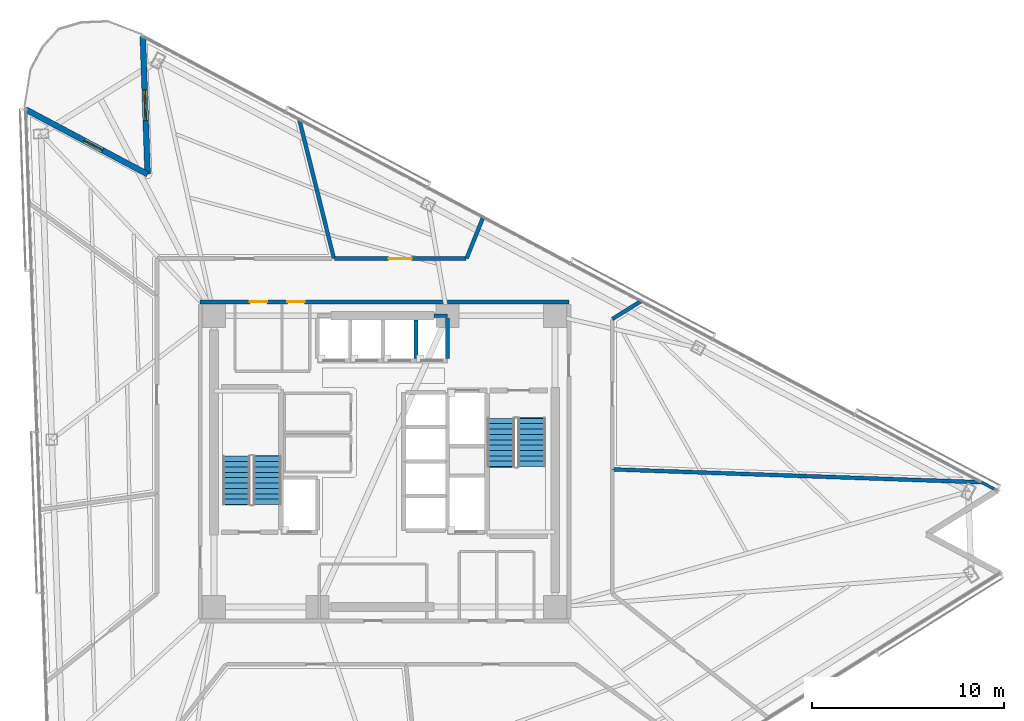
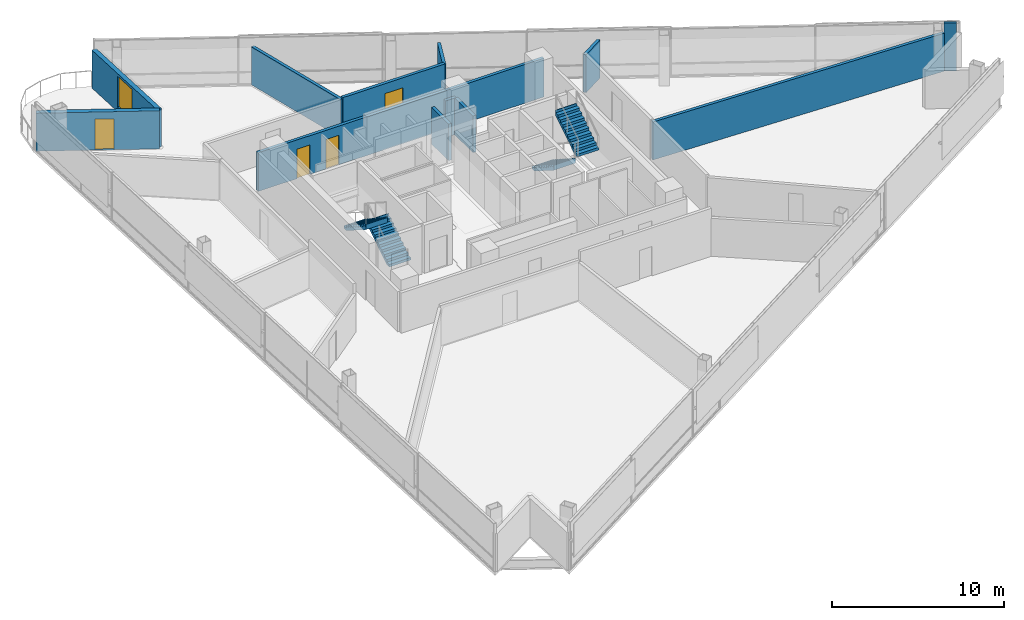
# One storey, part 14 of 20: 12 walls, 4 doors, 4 stair flights, 1 window, 5 openings, 2 elements without a shape of their own.
"""IFC4 building model written with IfcOpenShell, lengths in metres."""

import ifcopenshell
import ifcopenshell.guid

model = None  # the IFC model being written
_history = None  # IfcOwnerHistory: only IFC2X3 demands one
_inside = {}  # id of a spatial element -> (the spatial element, [elements in it])
_under = {}  # id of a project, library or spatial element -> (it, [spatial elements below it])
_declared = {}  # id of a project -> (the project, [libraries it declares])
_typed = {}  # id of a type object -> (the type object, [elements of that type])
_made_of = {}  # id of a material, layer set ... -> (it, [elements and type objects made of it])


def new_model(schema):
    """Start an empty IFC model of exactly this schema.

    Asked for "IFC4X3", IfcOpenShell would pick the latest addendum, in which some entities
    have other attributes; the version numbers below select the first issue.
    IFC2X3 requires an IfcOwnerHistory on every rooted entity: one is made here for all.
    """
    global model, _history
    if schema == "IFC4X3":
        model = ifcopenshell.file(schema_version=(4, 3, 0, 0))
    else:
        model = ifcopenshell.file(schema=schema)
    _inside.clear()
    _under.clear()
    _declared.clear()
    _typed.clear()
    _made_of.clear()
    _history = None
    if model.schema == "IFC2X3":
        org = make("IfcOrganization", Name="unknown")
        user = make(
            "IfcPersonAndOrganization",
            ThePerson=make("IfcPerson", FamilyName="unknown"),
            TheOrganization=org,
        )
        app = make(
            "IfcApplication",
            ApplicationDeveloper=org,
            Version="unknown",
            ApplicationFullName="unknown",
            ApplicationIdentifier="unknown",
        )
        _history = make(
            "IfcOwnerHistory",
            OwningUser=user,
            OwningApplication=app,
            ChangeAction="ADDED",
            CreationDate=0,
        )
    return model


def make(cls, **values):
    """One entity of the class cls with the attributes given. An attribute that is None is left unset."""
    return model.create_entity(
        cls, **{name: value for name, value in values.items() if value is not None}
    )


def rooted(cls, **values):
    """An entity with a GlobalId (a new one), such as an element, a storey or a relation."""
    return make(cls, GlobalId=ifcopenshell.guid.new(), OwnerHistory=_history, **values)


def si_unit(unit_type, name, prefix=None):
    """IfcSIUnit, for example si_unit("LENGTHUNIT", "METRE", prefix="MILLI")."""
    return make("IfcSIUnit", UnitType=unit_type, Prefix=prefix, Name=name)


def assignment(units):
    """IfcUnitAssignment: the units of a project."""
    return None if units is None else make("IfcUnitAssignment", Units=units)


def point(xyz):
    """IfcCartesianPoint."""
    return None if xyz is None else make("IfcCartesianPoint", Coordinates=xyz)


def direction(xyz):
    """IfcDirection."""
    return None if xyz is None else make("IfcDirection", DirectionRatios=xyz)


def frame(location, z_axis=None, x_axis=None):
    """IfcAxis2Placement3D, a coordinate frame: its origin and axes. An axis left out is left unset."""
    return make(
        "IfcAxis2Placement3D",
        Location=point(location),
        Axis=direction(z_axis),
        RefDirection=direction(x_axis),
    )


def frame_2d(location, x_axis=None):
    """IfcAxis2Placement2D, a coordinate frame in the plane: its origin and x axis."""
    return make(
        "IfcAxis2Placement2D", Location=point(location), RefDirection=direction(x_axis)
    )


def origin():
    """The frame at (0, 0, 0) with its axes left unset."""
    return frame((0.0, 0.0, 0.0))


def place(relative_to, where):
    """IfcLocalPlacement: puts the frame where relative to a parent placement (None: the world)."""
    return make(
        "IfcLocalPlacement", PlacementRelTo=relative_to, RelativePlacement=where
    )


def context(
    kind, dimensions, precision=None, world=None, true_north=None, identifier=None
):
    """IfcGeometricRepresentationContext, for example the 3D "Model" context."""
    return make(
        "IfcGeometricRepresentationContext",
        ContextIdentifier=identifier,
        ContextType=kind,
        CoordinateSpaceDimension=dimensions,
        Precision=precision,
        WorldCoordinateSystem=world,
        TrueNorth=true_north,
    )


def subcontext(parent, identifier, kind, view, scale=None):
    """IfcGeometricRepresentationSubContext, for example "Body" below "Model"."""
    return make(
        "IfcGeometricRepresentationSubContext",
        ContextIdentifier=identifier,
        ContextType=kind,
        ParentContext=parent,
        TargetScale=scale,
        TargetView=view,
    )


def project(units=None, contexts=None):
    """IfcProject with its units and contexts."""
    return rooted(
        "IfcProject",
        Name="project",
        RepresentationContexts=contexts,
        UnitsInContext=assignment(units),
    )


def spatial(cls, under=None, at=None, **own):
    """A site, building, storey or space (cls), placed at a placement, below another one or the project."""
    s = rooted(cls, ObjectPlacement=at, **own)
    if under is not None:
        _under.setdefault(under.id(), (under, []))[1].append(s)
    return s


def polyline(points):
    """IfcPolyline through the points."""
    return make("IfcPolyline", Points=[point(p) for p in points])


def profile(cls, at=None, kind="AREA", **sizes):
    """A parametric profile (cls). Its sizes go by their IFC names, for example OverallWidth=200.0."""
    return make(cls, ProfileType=kind, Position=at, **sizes)


def rectangle(**sizes):
    """IfcRectangleProfileDef."""
    return profile("IfcRectangleProfileDef", **sizes)


def outline(outer, holes=None, kind="AREA"):
    """IfcArbitraryClosedProfileDef: a profile drawn as a closed curve; with holes, ...WithVoids."""
    if holes is None:
        return make("IfcArbitraryClosedProfileDef", ProfileType=kind, OuterCurve=outer)
    return make(
        "IfcArbitraryProfileDefWithVoids",
        ProfileType=kind,
        OuterCurve=outer,
        InnerCurves=holes,
    )


def extrude(swept, where, along, depth):
    """IfcExtrudedAreaSolid: the profile swept, set in the frame where, extruded along a direction by depth."""
    return make(
        "IfcExtrudedAreaSolid",
        SweptArea=swept,
        Position=where,
        ExtrudedDirection=direction(along),
        Depth=depth,
    )


def shape(context_of_items, identifier, shape_type, items):
    """IfcShapeRepresentation: the items that make up one representation, for example the "Body"."""
    return make(
        "IfcShapeRepresentation",
        ContextOfItems=context_of_items,
        RepresentationIdentifier=identifier,
        RepresentationType=shape_type,
        Items=items,
    )


def material(Name=None, Category=None):
    """IfcMaterial."""
    return make("IfcMaterial", Name=Name, Category=Category)


def layer(
    of_material, thickness, ventilated=None, Name=None, Category=None, Priority=None
):
    """IfcMaterialLayer: one layer of a wall or slab, of a material (None: an air gap)."""
    return make(
        "IfcMaterialLayer",
        Material=of_material,
        LayerThickness=thickness,
        IsVentilated=ventilated,
        Name=Name,
        Category=Category,
        Priority=Priority,
    )


def layer_set(layers, Name=None):
    """IfcMaterialLayerSet."""
    return make("IfcMaterialLayerSet", MaterialLayers=layers, LayerSetName=Name)


def made_of(thing, what):
    """Note that an element or type object is made of a material, layer set ...; save() writes the relation."""
    if what is not None:
        _made_of.setdefault(what.id(), (what, []))[1].append(thing)
    return thing


def type_object(cls, material=None, **own):
    """A type object (cls), such as IfcWallType, which elements share."""
    return made_of(rooted(cls, **own), material)


def element(
    cls,
    number,
    at=None,
    inside=None,
    cuts=None,
    type_object=None,
    material=None,
    context=None,
    identifier="Body",
    shape_type=None,
    held_by="IfcProductDefinitionShape",
    body=None,
    shapes=None,
    **own,
):
    """One element of the class cls, such as IfcWall. Its Tag is "e" and its number.

    at: its placement. inside: the storey or other place that contains it. cuts: it is an
    opening in that element (IfcRelVoidsElement). A single representation is given by context,
    identifier, shape_type and body (its items); several are given by shapes. held_by: the class
    of the entity that holds the representations. save() writes the other relations.
    """
    e = rooted(cls, Tag="e%d" % number, ObjectPlacement=at, **own)
    if body is not None:
        shapes = [shape(context, identifier, shape_type, body)]
    if shapes is not None:
        e.Representation = make(held_by, Representations=shapes)
    if inside is not None:
        _inside.setdefault(inside.id(), (inside, []))[1].append(e)
    if cuts is not None:
        rooted(
            "IfcRelVoidsElement", RelatingBuildingElement=cuts, RelatedOpeningElement=e
        )
    if type_object is not None:
        _typed.setdefault(type_object.id(), (type_object, []))[1].append(e)
    return made_of(e, material)


def fill(opening, filler):
    """IfcRelFillsElement: the door or window that sits in an opening."""
    return rooted(
        "IfcRelFillsElement",
        RelatingOpeningElement=opening,
        RelatedBuildingElement=filler,
    )


def aggregate(whole, parts):
    """IfcRelAggregates: a whole, such as a stair, and the parts it consists of."""
    return rooted("IfcRelAggregates", RelatingObject=whole, RelatedObjects=parts)


def save(model, path):
    """Write the relations noted so far, then the file.

    IfcRelAggregates (storeys below a building ...), IfcRelContainedInSpatialStructure (elements
    in a storey), IfcRelDefinesByType, IfcRelAssociatesMaterial and IfcRelDeclares: one each for
    every whole, place, type object, material and project.
    """
    for whole, parts in _under.values():
        aggregate(whole, parts)
    for where, things in _inside.values():
        rooted(
            "IfcRelContainedInSpatialStructure",
            RelatedElements=things,
            RelatingStructure=where,
        )
    for kind, things in _typed.values():
        rooted("IfcRelDefinesByType", RelatedObjects=things, RelatingType=kind)
    for what, things in _made_of.values():
        rooted("IfcRelAssociatesMaterial", RelatedObjects=things, RelatingMaterial=what)
    for by, libraries in _declared.values():
        rooted("IfcRelDeclares", RelatingContext=by, RelatedDefinitions=libraries)
    model.write(path)


model = new_model("IFC4")

# Units and contexts
model_context = context("Model", 3, precision=1e-05, world=origin(), true_north=direction((0.0, 1.0)))
body_context = subcontext(model_context, "Body", "Model", "MODEL_VIEW")
ifc_project = project(units=[si_unit("LENGTHUNIT", "METRE"), si_unit("AREAUNIT", "SQUARE_METRE"), si_unit("VOLUMEUNIT", "CUBIC_METRE"), si_unit("PLANEANGLEUNIT", "RADIAN"), si_unit("MASSUNIT", "GRAM", prefix="KILO")], contexts=[model_context])

# Site, building, storey
site_placement = place(None, origin())
site = spatial("IfcSite", under=ifc_project, at=site_placement, CompositionType="ELEMENT")
building_placement = place(site_placement, origin())
building = spatial("IfcBuilding", under=site, at=building_placement, Name="Tharavind Bronze Gate", CompositionType="ELEMENT")
storey_placement = place(building_placement, frame((0.0, 0.0, 146.0)))
storey = spatial("IfcBuildingStorey", under=building, at=storey_placement, Name="L37", CompositionType="ELEMENT", Elevation=146.0)

# Wall, opening, window
ifc_material_1 = material(Name="Concrete C40/50", Category="concrete")
ifc_layer_1 = layer(ifc_material_1, 0.300048828125)
ifc_layer_set_1 = layer_set([ifc_layer_1], Name="Concrete C40/50")
wall_type_1 = type_object("IfcWallType", Name="EXTERIOR SPANDREL WALL 300", PredefinedType="STANDARD", material=ifc_layer_set_1)
wall_1_placement = place(storey_placement, frame((-12.614013671875, 22.179931640625, 0.0), z_axis=(0.0, 0.0, 1.0), x_axis=(0.034925918675, -0.999389903994, 0.0)))
wall_1 = element("IfcWall", 1, at=wall_1_placement, inside=storey, type_object=wall_type_1, Name="L37 notch cheek wall 1A", PredefinedType="STANDARD", context=body_context, shape_type="SweptSolid", body=[
    extrude(rectangle(XDim=7.199951171875, YDim=0.300048828125, at=frame_2d((3.60009765625, 0.0))), origin(), (0.0, 0.0, 1.0), 2.705078125),
])
opening_1_placement = place(wall_1_placement, frame((2.800048828125, 0.0, 0.324951171875)))
opening_1 = element("IfcOpeningElement", 2, at=opening_1_placement, cuts=wall_1, Name="Opening W05", PredefinedType="OPENING", context=body_context, shape_type="SweptSolid", body=[
    extrude(rectangle(XDim=1.60009765625, YDim=2.199951171875, at=frame_2d((0.800048828125, 1.10009765625))), frame((0.0, 0.15990234375, 0.0), z_axis=(0.0, -1.0, 0.0), x_axis=(1.0, 0.0, 0.0)), (0.0, 0.0, 1.0), 0.320048828125),
])
ifc_material_2 = material(Name="Bronze Aluminium & Low-E Glass", Category="aluminium")
window_type = type_object("IfcWindowType", Name="OFFICE NOTCH BRONZE WINDOW 1600X2200", PartitioningType="DOUBLE_PANEL_VERTICAL", PredefinedType="WINDOW", material=ifc_material_2)
window_placement = place(opening_1_placement, origin())
window = element("IfcWindow", 3, at=window_placement, inside=storey, type_object=window_type, Name="L37 exterior window WL-L37-NCB1-01", OverallHeight=2.199951171875, OverallWidth=1.60009765625, PartitioningType="SINGLE_PANEL", PredefinedType="WINDOW", context=body_context, shape_type="SweptSolid", body=[
    extrude(rectangle(XDim=1.60009765625, YDim=2.199951171875, at=frame_2d((0.800048828125, 1.10009765625))), frame((0.0, 0.030029296875, 0.0), z_axis=(0.0, -1.0, 0.0), x_axis=(1.0, 0.0, 0.0)), (0.0, 0.0, 1.0), 0.06005859375),
])
fill(opening_1, window)

# Wall, opening, door
wall_2_placement = place(storey_placement, frame((-12.362548828125, 14.984375, 0.0), z_axis=(0.0, 0.0, 1.0), x_axis=(-0.882950149473, 0.469466754463, 0.0)))
wall_2 = element("IfcWall", 4, at=wall_2_placement, inside=storey, type_object=wall_type_1, Name="L37 notch cheek wall 1B", PredefinedType="STANDARD", context=body_context, shape_type="SweptSolid", body=[
    extrude(rectangle(XDim=7.199951171875, YDim=0.300048828125, at=frame_2d((3.60009765625, 0.0))), origin(), (0.0, 0.0, 1.0), 2.705078125),
])
opening_2_placement = place(wall_2_placement, frame((2.654052734375, 0.0, 0.0)))
opening_2 = element("IfcOpeningElement", 5, at=opening_2_placement, cuts=wall_2, Name="Opening ED04", PredefinedType="OPENING", context=body_context, shape_type="SweptSolid", body=[
    extrude(rectangle(XDim=1.10009765625, YDim=2.199951171875, at=frame_2d((0.550048828125, 1.10009765625))), frame((0.0, 0.15990234375, 0.0), z_axis=(0.0, -1.0, 0.0), x_axis=(1.0, 0.0, 0.0)), (0.0, 0.0, 1.0), 0.320048828125),
])
ifc_material_3 = material(Name="Bronze Aluminium & Toughened Glass", Category="aluminium")
door_type_1 = type_object("IfcDoorType", Name="TREE BALCONY ACCESS DOOR 1100X2200", OperationType="SINGLE_SWING_LEFT", PredefinedType="DOOR", material=ifc_material_3)
door_1_placement = place(opening_2_placement, frame((1.10009765625, 0.0, 0.0), z_axis=(0.0, 0.0, 1.0), x_axis=(-1.0, 0.0, 0.0)))
door_1 = element("IfcDoor", 6, at=door_1_placement, inside=storey, type_object=door_type_1, Name="L37 tree balcony access door", OperationType="SINGLE_SWING_LEFT", OverallHeight=2.199951171875, OverallWidth=1.10009765625, PredefinedType="DOOR", context=body_context, shape_type="SweptSolid", body=[
    extrude(rectangle(XDim=1.10009765625, YDim=2.199951171875, at=frame_2d((0.550048828125, 1.10009765625))), frame((0.0, 0.02490234375, 0.0), z_axis=(0.0, -1.0, 0.0), x_axis=(1.0, 0.0, 0.0)), (0.0, 0.0, 1.0), 0.050048828125),
])
fill(opening_2, door_1)

# Wall, openings, doors
ifc_material_4 = material(Name="Aerated Concrete Block", Category="concrete")
ifc_layer_2 = layer(ifc_material_4, 0.199951171875)
ifc_layer_set_2 = layer_set([ifc_layer_2], Name="Aerated Concrete Block")
wall_type_2 = type_object("IfcWallType", Name="FIRE RATED PARTITION 200", PredefinedType="PARTITIONING", material=ifc_layer_set_2)
wall_3_placement = place(storey_placement, frame((9.6201171875, 8.320068359375, 0.0), z_axis=(0.0, 0.0, 1.0), x_axis=(-1.0, 0.0, 0.0)))
wall_3 = element("IfcWall", 7, at=wall_3_placement, inside=storey, type_object=wall_type_2, Name="L37 north core corridor wall", PredefinedType="PARTITIONING", context=body_context, shape_type="SweptSolid", body=[
    extrude(rectangle(XDim=19.240234375, YDim=0.199951171875, at=frame_2d((9.6201171875, 0.0))), origin(), (0.0, 0.0, 1.0), 2.7548828125),
])
opening_3_placement = place(wall_3_placement, frame((15.7451171875, 0.0, 0.0)))
opening_3 = element("IfcOpeningElement", 8, at=opening_3_placement, cuts=wall_3, Name="Opening ID07", PredefinedType="OPENING", context=body_context, shape_type="SweptSolid", body=[
    extrude(rectangle(XDim=0.89990234375, YDim=2.10009765625, at=frame_2d((0.449951171875, 1.050048828125))), frame((0.0, 0.11009765625, 0.0), z_axis=(0.0, -1.0, 0.0), x_axis=(1.0, 0.0, 0.0)), (0.0, 0.0, 1.0), 0.219951171875),
])
opening_4_placement = place(wall_3_placement, frame((13.794921875, 0.0, 0.0)))
opening_4 = element("IfcOpeningElement", 9, at=opening_4_placement, cuts=wall_3, Name="Opening ID07", PredefinedType="OPENING", context=body_context, shape_type="SweptSolid", body=[
    extrude(rectangle(XDim=0.89990234375, YDim=2.10009765625, at=frame_2d((0.449951171875, 1.050048828125))), frame((0.0, 0.11009765625, 0.0), z_axis=(0.0, -1.0, 0.0), x_axis=(1.0, 0.0, 0.0)), (0.0, 0.0, 1.0), 0.219951171875),
])
ifc_material_5 = material(Name="Galvanised Fire Steel", Category="steel")
door_type_2 = type_object("IfcDoorType", Name="PLANT AND RISER FIRE DOOR 900X2100", OperationType="SINGLE_SWING_LEFT", PredefinedType="DOOR", material=ifc_material_5)
door_2_placement = place(opening_3_placement, origin())
door_2 = element("IfcDoor", 10, at=door_2_placement, inside=storey, type_object=door_type_2, Name="L37 Electrical Metering Room fire door", OperationType="SINGLE_SWING_LEFT", OverallHeight=2.10009765625, OverallWidth=0.89990234375, PredefinedType="DOOR", context=body_context, shape_type="SweptSolid", body=[
    extrude(rectangle(XDim=0.89990234375, YDim=2.10009765625, at=frame_2d((0.449951171875, 1.050048828125))), frame((0.0, 0.02490234375, 0.0), z_axis=(0.0, -1.0, 0.0), x_axis=(1.0, 0.0, 0.0)), (0.0, 0.0, 1.0), 0.050048828125),
])
fill(opening_3, door_2)
door_3_placement = place(opening_4_placement, origin())
door_3 = element("IfcDoor", 11, at=door_3_placement, inside=storey, type_object=door_type_2, Name="L37 Linen Cupboard fire door", OperationType="SINGLE_SWING_LEFT", OverallHeight=2.10009765625, OverallWidth=0.89990234375, PredefinedType="DOOR", context=body_context, shape_type="SweptSolid", body=[
    extrude(rectangle(XDim=0.89990234375, YDim=2.10009765625, at=frame_2d((0.449951171875, 1.050048828125))), frame((0.0, 0.02490234375, 0.0), z_axis=(0.0, -1.0, 0.0), x_axis=(1.0, 0.0, 0.0)), (0.0, 0.0, 1.0), 0.050048828125),
])
fill(opening_4, door_3)

# Walls
wall_4_placement = place(storey_placement, frame((11.906005859375, -0.415771484375, 0.0), z_axis=(0.0, 0.0, 1.0), x_axis=(0.999390899128, -0.034897431724, 0.0)))
element("IfcWall", 12, at=wall_4_placement, inside=storey, type_object=wall_type_2, Name="L37 Public Restrooms Block partition", PredefinedType="PARTITIONING", context=body_context, shape_type="SweptSolid", body=[
    extrude(rectangle(XDim=19.245849609375, YDim=0.199951171875, at=frame_2d((9.623046875, 0.0))), origin(), (0.0, 0.0, 1.0), 2.705078125),
])
wall_5_placement = place(storey_placement, frame((5.1376953125, 12.7158203125, 0.0), z_axis=(0.0, 0.0, 1.0), x_axis=(-0.374646634577, -0.927167675882, 0.0)))
element("IfcWall", 13, at=wall_5_placement, inside=storey, type_object=wall_type_2, Name="L37 Sky Garden View Lounge partition", PredefinedType="PARTITIONING", context=body_context, shape_type="SweptSolid", body=[
    extrude(rectangle(XDim=2.28662109375, YDim=0.199951171875, at=frame_2d((1.143310546875, 0.0))), origin(), (0.0, 0.0, 1.0), 2.705078125),
])

# Wall, opening, door
wall_6_placement = place(storey_placement, frame((4.2578125, 10.580078125, 0.0), z_axis=(0.0, 0.0, 1.0), x_axis=(-1.0, 0.0, 0.0)))
wall_6 = element("IfcWall", 14, at=wall_6_placement, inside=storey, type_object=wall_type_2, Name="L37 Sky Garden View Lounge partition", PredefinedType="PARTITIONING", context=body_context, shape_type="SweptSolid", body=[
    extrude(rectangle(XDim=6.876220703125, YDim=0.199951171875, at=frame_2d((3.43798828125, 0.0))), origin(), (0.0, 0.0, 1.0), 2.85498046875),
])
opening_5_placement = place(wall_6_placement, frame((2.837890625, 0.0, 0.0)))
opening_5 = element("IfcOpeningElement", 15, at=opening_5_placement, cuts=wall_6, Name="Opening ID05", PredefinedType="OPENING", context=body_context, shape_type="SweptSolid", body=[
    extrude(rectangle(XDim=1.199951171875, YDim=2.14990234375, at=frame_2d((0.60009765625, 1.074951171875))), frame((0.0, 0.11009765625, 0.0), z_axis=(0.0, -1.0, 0.0), x_axis=(1.0, 0.0, 0.0)), (0.0, 0.0, 1.0), 0.219951171875),
])
ifc_material_6 = material(Name="Acoustic Laminated Glass", Category="glass")
door_type_3 = type_object("IfcDoorType", Name="MEETING ROOM GLAZED DOOR 1200X2150", OperationType="SINGLE_SWING_LEFT", PredefinedType="DOOR", material=ifc_material_6)
door_4_placement = place(opening_5_placement, origin())
door_4 = element("IfcDoor", 16, at=door_4_placement, inside=storey, type_object=door_type_3, Name="L37 Sky Garden View Lounge door", OperationType="SINGLE_SWING_LEFT", OverallHeight=2.14990234375, OverallWidth=1.199951171875, PredefinedType="DOOR", context=body_context, shape_type="SweptSolid", body=[
    extrude(rectangle(XDim=1.199951171875, YDim=2.14990234375, at=frame_2d((0.60009765625, 1.074951171875))), frame((0.0, 0.02490234375, 0.0), z_axis=(0.0, -1.0, 0.0), x_axis=(1.0, 0.0, 0.0)), (0.0, 0.0, 1.0), 0.050048828125),
])
fill(opening_5, door_4)

# Walls
wall_7_placement = place(storey_placement, frame((-2.642578125, 10.59912109375, 0.0), z_axis=(0.0, 0.0, 1.0), x_axis=(-0.241942663227, 0.970290548089, 0.0)))
element("IfcWall", 17, at=wall_7_placement, inside=storey, type_object=wall_type_2, Name="L37 Sky Garden View Lounge partition", PredefinedType="PARTITIONING", context=body_context, shape_type="SweptSolid", body=[
    extrude(rectangle(XDim=7.460205078125, YDim=0.199951171875, at=frame_2d((3.72998046875, 0.0))), origin(), (0.0, 0.0, 1.0), 2.705078125),
])
wall_8_placement = place(storey_placement, frame((11.891845703125, 7.430908203125, 0.0), z_axis=(0.0, 0.0, 1.0), x_axis=(0.848045643795, 0.529923188811, 0.0)))
element("IfcWall", 18, at=wall_8_placement, inside=storey, type_object=wall_type_2, Name="L37 Strategy Room partition", PredefinedType="PARTITIONING", context=body_context, shape_type="SweptSolid", body=[
    extrude(rectangle(XDim=1.73828125, YDim=0.199951171875, at=frame_2d((0.869140625, 0.0))), origin(), (0.0, 0.0, 1.0), 2.705078125),
])
ifc_material_7 = material(Name="Twin Stud Acoustic Gypsum", Category="gypsum")
ifc_layer_3 = layer(ifc_material_7, 0.14990234375)
ifc_layer_set_3 = layer_set([ifc_layer_3], Name="Twin Stud Acoustic Gypsum")
wall_type_3 = type_object("IfcWallType", Name="INTERIOR PARTITION WALL 150", PredefinedType="PARTITIONING", material=ifc_layer_set_3)
wall_9_placement = place(storey_placement, frame((31.15087890625, -1.09033203125, 0.0), z_axis=(0.0, 0.0, 1.0), x_axis=(0.883026217121, -0.469323662175, 0.0)))
element("IfcWall", 19, at=wall_9_placement, inside=storey, type_object=wall_type_3, Name="L37 Public Restrooms Block partition", PredefinedType="PARTITIONING", context=body_context, shape_type="SweptSolid", body=[
    extrude(rectangle(XDim=0.74169921875, YDim=0.14990234375, at=frame_2d((0.370849609375, 0.0))), origin(), (0.0, 0.0, 1.0), 3.409912109375),
])
ifc_layer_4 = layer(ifc_material_1, 0.199951171875)
ifc_layer_set_4 = layer_set([ifc_layer_4], Name="Concrete C40/50")
wall_type_4 = type_object("IfcWallType", Name="SHAFT ENCLOSURE WALL 200", PredefinedType="PARTITIONING", material=ifc_layer_set_4)
wall_10_placement = place(storey_placement, frame((1.637451171875, 5.3798828125, 0.0), z_axis=(0.0, 0.0, 1.0), x_axis=(0.0, 1.0, 0.0)))
element("IfcWall", 20, at=wall_10_placement, inside=storey, type_object=wall_type_4, Name="L37 lift PL7 shaft E enclosure wall", PredefinedType="PARTITIONING", context=body_context, shape_type="SweptSolid", body=[
    extrude(rectangle(XDim=1.990234375, YDim=0.199951171875, at=frame_2d((0.9951171875, 0.0))), origin(), (0.0, 0.0, 1.0), 2.60498046875),
])
wall_11_placement = place(storey_placement, frame((2.580078125, 7.60009765625, 0.0), z_axis=(0.0, 0.0, 1.0), x_axis=(1.0, 0.0, 0.0)))
element("IfcWall", 21, at=wall_11_placement, inside=storey, type_object=wall_type_4, Name="L37 lift PL8 shaft N enclosure wall", PredefinedType="PARTITIONING", context=body_context, shape_type="SweptSolid", body=[
    extrude(rectangle(XDim=0.699951171875, YDim=0.199951171875, at=frame_2d((0.35009765625, 0.0))), origin(), (0.0, 0.0, 1.0), 2.60498046875),
])
wall_12_placement = place(storey_placement, frame((3.280029296875, 5.3798828125, 0.0), z_axis=(0.0, 0.0, 1.0), x_axis=(0.0, 1.0, 0.0)))
element("IfcWall", 22, at=wall_12_placement, inside=storey, type_object=wall_type_4, Name="L37 lift PL8 shaft E enclosure wall", PredefinedType="PARTITIONING", context=body_context, shape_type="SweptSolid", body=[
    extrude(rectangle(XDim=2.115234375, YDim=0.199951171875, at=frame_2d((1.0576171875, 0.0))), origin(), (0.0, 0.0, 1.0), 2.60498046875),
])

# Stair, stair flights
stair_type = type_object("IfcStairType", Name="CORE HALF TURN STAIR 1450", PredefinedType="HALF_TURN_STAIR", material=ifc_material_1)
stair_1_placement = place(storey_placement, origin())
stair_1 = element("IfcStair", 23, at=stair_1_placement, inside=storey, type_object=stair_type, Name="L37 Protected Exit Stair ST1", PredefinedType="HALF_TURN_STAIR")
stair_flight_type = type_object("IfcStairFlightType", Name="CORE STAIR FLIGHT 1450", PredefinedType="STRAIGHT", material=ifc_material_1)
stair_flight_1_placement = place(storey_placement, frame((-6.125, -2.25, 0.0), z_axis=(0.0, 0.0, 1.0), x_axis=(0.0, 1.0, 0.0)))
stair_flight_1 = element("IfcStairFlight", 24, at=stair_flight_1_placement, type_object=stair_flight_type, Name="ST1 flight 1", NumberOfRisers=10, NumberOfTreads=9, PredefinedType="STRAIGHT", RiserHeight=0.18, TreadLength=0.28, context=body_context, shape_type="SweptSolid", body=[
    extrude(outline(polyline([(0.0, 0.0), (0.0, 0.179931640625), (0.280029296875, 0.179931640625), (0.280029296875, 0.360107421875), (0.56005859375, 0.360107421875), (0.56005859375, 0.5400390625), (0.840087890625, 0.5400390625), (0.840087890625, 0.719970703125), (1.1201171875, 0.719970703125), (1.1201171875, 0.89990234375), (1.39990234375, 0.89990234375), (1.39990234375, 1.080078125), (1.679931640625, 1.080078125), (1.679931640625, 1.260009765625), (1.9599609375, 1.260009765625), (1.9599609375, 1.43994140625), (2.239990234375, 1.43994140625), (2.239990234375, 1.6201171875), (2.52001953125, 1.6201171875), (2.52001953125, 1.800048828125), (2.555908203125, 1.800048828125), (2.555908203125, 1.44189453125), (0.277099609375, 0.0), (0.0, 0.0)])), frame((0.0, 0.72509765625, 0.0), z_axis=(0.0, -1.0, 0.0), x_axis=(1.0, 0.0, 0.0)), (0.0, 0.0, 1.0), 1.449951171875),
])
stair_flight_2_placement = place(storey_placement, frame((-7.72509765625, 0.27001953125, 1.800048828125), z_axis=(0.0, 0.0, 1.0), x_axis=(0.0, -1.0, 0.0)))
stair_flight_2 = element("IfcStairFlight", 25, at=stair_flight_2_placement, type_object=stair_flight_type, Name="ST1 flight 2", NumberOfRisers=10, NumberOfTreads=9, PredefinedType="STRAIGHT", RiserHeight=0.18, TreadLength=0.28, context=body_context, shape_type="SweptSolid", body=[
    extrude(outline(polyline([(0.0, 0.0), (0.0, 0.179931640625), (0.280029296875, 0.179931640625), (0.280029296875, 0.360107421875), (0.56005859375, 0.360107421875), (0.56005859375, 0.5400390625), (0.840087890625, 0.5400390625), (0.840087890625, 0.719970703125), (1.1201171875, 0.719970703125), (1.1201171875, 0.89990234375), (1.39990234375, 0.89990234375), (1.39990234375, 1.080078125), (1.679931640625, 1.080078125), (1.679931640625, 1.260009765625), (1.9599609375, 1.260009765625), (1.9599609375, 1.43994140625), (2.239990234375, 1.43994140625), (2.239990234375, 1.6201171875), (2.52001953125, 1.6201171875), (2.52001953125, 1.800048828125), (2.555908203125, 1.800048828125), (2.555908203125, 1.44189453125), (0.277099609375, 0.0), (0.0, 0.0)])), frame((0.0, 0.72509765625, 0.0), z_axis=(0.0, -1.0, 0.0), x_axis=(1.0, 0.0, 0.0)), (0.0, 0.0, 1.0), 1.449951171875),
])
aggregate(stair_1, [stair_flight_1, stair_flight_2])

stair_2_placement = place(storey_placement, origin())
stair_2 = element("IfcStair", 26, at=stair_2_placement, inside=storey, type_object=stair_type, Name="L37 Protected Exit Stair ST2", PredefinedType="HALF_TURN_STAIR")
stair_flight_3_placement = place(storey_placement, frame((6.074951171875, 2.25, 0.0), z_axis=(0.0, 0.0, 1.0), x_axis=(0.0, -1.0, 0.0)))
stair_flight_3 = element("IfcStairFlight", 27, at=stair_flight_3_placement, type_object=stair_flight_type, Name="ST2 flight 1", NumberOfRisers=10, NumberOfTreads=9, PredefinedType="STRAIGHT", RiserHeight=0.18, TreadLength=0.28, context=body_context, shape_type="SweptSolid", body=[
    extrude(outline(polyline([(0.0, 0.0), (0.0, 0.179931640625), (0.280029296875, 0.179931640625), (0.280029296875, 0.360107421875), (0.56005859375, 0.360107421875), (0.56005859375, 0.5400390625), (0.840087890625, 0.5400390625), (0.840087890625, 0.719970703125), (1.1201171875, 0.719970703125), (1.1201171875, 0.89990234375), (1.39990234375, 0.89990234375), (1.39990234375, 1.080078125), (1.679931640625, 1.080078125), (1.679931640625, 1.260009765625), (1.9599609375, 1.260009765625), (1.9599609375, 1.43994140625), (2.239990234375, 1.43994140625), (2.239990234375, 1.6201171875), (2.52001953125, 1.6201171875), (2.52001953125, 1.800048828125), (2.555908203125, 1.800048828125), (2.555908203125, 1.44189453125), (0.277099609375, 0.0), (0.0, 0.0)])), frame((0.0, 0.72509765625, 0.0), z_axis=(0.0, -1.0, 0.0), x_axis=(1.0, 0.0, 0.0)), (0.0, 0.0, 1.0), 1.449951171875),
])
stair_flight_4_placement = place(storey_placement, frame((7.675048828125, -0.27001953125, 1.800048828125), z_axis=(0.0, 0.0, 1.0), x_axis=(0.0, 1.0, 0.0)))
stair_flight_4 = element("IfcStairFlight", 28, at=stair_flight_4_placement, type_object=stair_flight_type, Name="ST2 flight 2", NumberOfRisers=10, NumberOfTreads=9, PredefinedType="STRAIGHT", RiserHeight=0.18, TreadLength=0.28, context=body_context, shape_type="SweptSolid", body=[
    extrude(outline(polyline([(0.0, 0.0), (0.0, 0.179931640625), (0.280029296875, 0.179931640625), (0.280029296875, 0.360107421875), (0.56005859375, 0.360107421875), (0.56005859375, 0.5400390625), (0.840087890625, 0.5400390625), (0.840087890625, 0.719970703125), (1.1201171875, 0.719970703125), (1.1201171875, 0.89990234375), (1.39990234375, 0.89990234375), (1.39990234375, 1.080078125), (1.679931640625, 1.080078125), (1.679931640625, 1.260009765625), (1.9599609375, 1.260009765625), (1.9599609375, 1.43994140625), (2.239990234375, 1.43994140625), (2.239990234375, 1.6201171875), (2.52001953125, 1.6201171875), (2.52001953125, 1.800048828125), (2.555908203125, 1.800048828125), (2.555908203125, 1.44189453125), (0.277099609375, 0.0), (0.0, 0.0)])), frame((0.0, 0.72509765625, 0.0), z_axis=(0.0, -1.0, 0.0), x_axis=(1.0, 0.0, 0.0)), (0.0, 0.0, 1.0), 1.449951171875),
])
aggregate(stair_2, [stair_flight_3, stair_flight_4])

save(model, "model.ifc")
